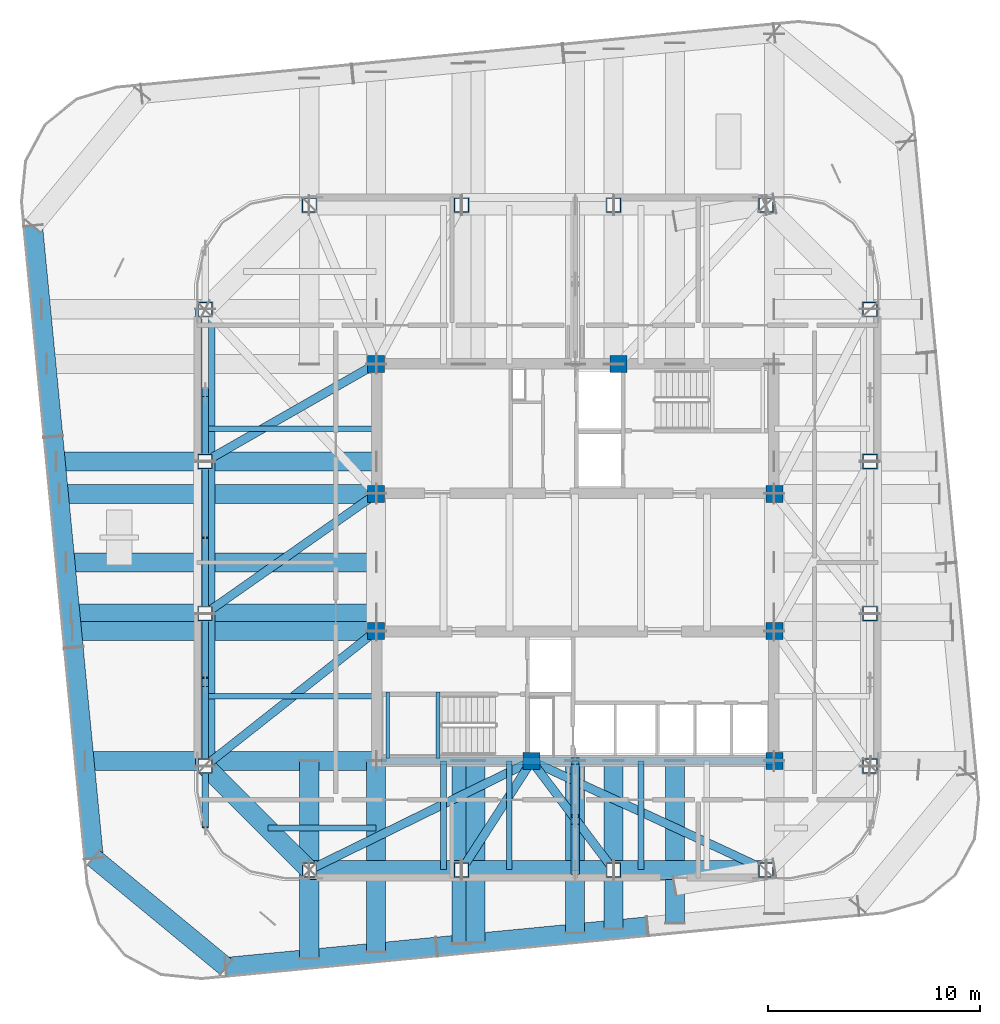
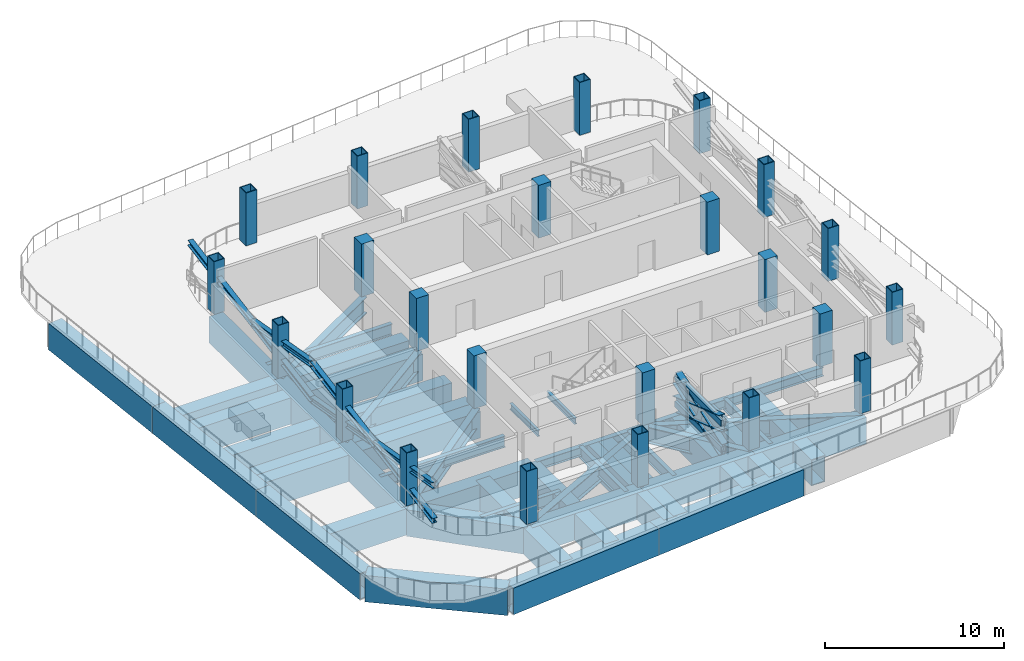
# One storey, part 1 of 12: 42 beams, 24 columns, 10 members.
"""IFC4 building model written with IfcOpenShell, lengths in metres."""

from ifc_helpers import new_model, si_unit, direction, frame, origin, origin_2d, place, context, subcontext, project, spatial, rectangle, hollow_rectangle, i_section, extrude, material, material_profile, profile_set, type_object, element, save


model = new_model("IFC4")

# Units and contexts
model_context = context("Model", 3, precision=1e-05, world=origin(), true_north=direction((0.0, 1.0)))
body_context = subcontext(model_context, "Body", "Model", "MODEL_VIEW")
ifc_project = project(units=[si_unit("LENGTHUNIT", "METRE"), si_unit("AREAUNIT", "SQUARE_METRE"), si_unit("VOLUMEUNIT", "CUBIC_METRE"), si_unit("PLANEANGLEUNIT", "RADIAN"), si_unit("MASSUNIT", "GRAM", prefix="KILO")], contexts=[model_context])

# Site, building, storey
site_placement = place(None, origin())
site = spatial("IfcSite", under=ifc_project, at=site_placement, CompositionType="ELEMENT")
building_placement = place(site_placement, origin())
building = spatial("IfcBuilding", under=site, at=building_placement, Name="Qhalaya Broadcast Tower", CompositionType="ELEMENT")
storey_placement = place(building_placement, frame((0.0, 0.0, 187.949951171875)))
storey = spatial("IfcBuildingStorey", under=building, at=storey_placement, Name="L55", CompositionType="ELEMENT", Elevation=187.949951171875)

# Columns
ifc_material_1 = material(Name="Concrete C50/60", Category="concrete")
ifc_material_profile_1 = material_profile(ifc_material_1, rectangle(XDim=0.800048828125, YDim=0.800048828125, at=origin_2d()), Name="RC-COL 800x800")
ifc_profile_set_1 = profile_set([ifc_material_profile_1], Name="Concrete C50/60")
column_type_1 = type_object("IfcColumnType", Name="RC Upper Column C10", PredefinedType="COLUMN", material=ifc_profile_set_1)
for number, where, z_axis, x_axis, name in (
    (1, (-9.375, 9.949951171875, 0.0), (0.0, 0.0, 1.0), (1.0, 0.0, 0.0), "L55 Column COL-CC1"),
    (2, (2.050048828125, 9.949951171875, 0.0), (0.0, 0.0, 1.0), (1.0, 0.0, 0.0), "L55 Column COL-CC2"),
    (3, (-9.375, 3.824951171875, 0.0), (0.0, 0.0, 1.0), (1.0, 0.0, 0.0), "L55 Column COL-CC3"),
    (4, (9.375, 3.824951171875, 0.0), (0.0, 0.0, 1.0), (1.0, 0.0, 0.0), "L55 Column COL-CC4"),
    (5, (-9.375, -2.625, 0.0), (0.0, 0.0, 1.0), (1.0, 0.0, 0.0), "L55 Column COL-CC5"),
    (6, (9.375, -2.625, 0.0), (0.0, 0.0, 1.0), (1.0, 0.0, 0.0), "L55 Column COL-CC6"),
    (7, (-2.050048828125, -8.75, 0.0), (0.0, 0.0, 1.0), (1.0, 0.0, 0.0), "L55 Column COL-CC7"),
    (8, (9.375, -8.75, 0.0), (0.0, 0.0, 1.0), (1.0, 0.0, 0.0), "L55 Column COL-CC8"),
):
    element("IfcColumn", number, at=place(storey_placement, frame(where, z_axis=z_axis, x_axis=x_axis)), inside=storey, type_object=column_type_1, Name=name, PredefinedType="COLUMN", context=body_context, shape_type="SweptSolid", body=[
        extrude(rectangle(XDim=0.800048828125, YDim=0.800048828125, at=origin_2d()), origin(), (0.0, 0.0, 1.0), 3.60009765625),
    ])
ifc_material_2 = material(Name="Structural Steel ASTM A572 Grade 50", Category="steel")
ifc_material_profile_2 = material_profile(ifc_material_2, hollow_rectangle(XDim=0.699951171875, YDim=0.699951171875, WallThickness=0.044921875, at=origin_2d()), Name="BOX 700x700x45")
ifc_profile_set_2 = profile_set([ifc_material_profile_2], Name="Structural Steel ASTM A572 Grade 50")
column_type_2 = type_object("IfcColumnType", Name="Steel Box Column C04", PredefinedType="COLUMN", material=ifc_profile_set_2)
for number, where, z_axis, x_axis, name in (
    (9, (-12.52001953125, -13.8798828125, 0.0), (0.0, 0.0, 1.0), (1.0, 0.0, 0.0), "L55 Column COL-NK01"),
    (10, (-5.353271484375, -13.8798828125, 0.0), (0.0, 0.0, 1.0), (1.0, 0.0, 0.0), "L55 Column COL-NK02"),
    (11, (1.813232421875, -13.8798828125, 0.0), (0.0, 0.0, 1.0), (1.0, 0.0, 0.0), "L55 Column COL-NK03"),
    (12, (8.97998046875, -13.8798828125, 0.0), (0.0, 0.0, 1.0), (1.0, 0.0, 0.0), "L55 Column COL-NK04"),
    (13, (13.8798828125, -8.97998046875, 0.0), (0.0, 0.0, 1.0), (0.0, 1.0, 0.0), "L55 Column COL-NK05"),
    (14, (13.8798828125, -1.813232421875, 0.0), (0.0, 0.0, 1.0), (0.0, 1.0, 0.0), "L55 Column COL-NK06"),
    (15, (13.8798828125, 5.353271484375, 0.0), (0.0, 0.0, 1.0), (0.0, 1.0, 0.0), "L55 Column COL-NK07"),
    (16, (13.8798828125, 12.52001953125, 0.0), (0.0, 0.0, 1.0), (0.0, 1.0, 0.0), "L55 Column COL-NK08"),
    (17, (8.97998046875, 17.419921875, 0.0), (0.0, 0.0, 1.0), (1.0, 0.0, 0.0), "L55 Column COL-NK09"),
    (18, (1.813232421875, 17.419921875, 0.0), (0.0, 0.0, 1.0), (1.0, 0.0, 0.0), "L55 Column COL-NK10"),
    (19, (-5.353271484375, 17.419921875, 0.0), (0.0, 0.0, 1.0), (1.0, 0.0, 0.0), "L55 Column COL-NK11"),
    (20, (-12.52001953125, 17.419921875, 0.0), (0.0, 0.0, 1.0), (1.0, 0.0, 0.0), "L55 Column COL-NK12"),
    (21, (-17.419921875, 12.52001953125, 0.0), (0.0, 0.0, 1.0), (0.0, 1.0, 0.0), "L55 Column COL-NK13"),
    (22, (-17.419921875, 5.353271484375, 0.0), (0.0, 0.0, 1.0), (0.0, 1.0, 0.0), "L55 Column COL-NK14"),
    (23, (-17.419921875, -1.813232421875, 0.0), (0.0, 0.0, 1.0), (0.0, 1.0, 0.0), "L55 Column COL-NK15"),
    (24, (-17.419921875, -8.97998046875, 0.0), (0.0, 0.0, 1.0), (0.0, 1.0, 0.0), "L55 Column COL-NK16"),
):
    element("IfcColumn", number, at=place(storey_placement, frame(where, z_axis=z_axis, x_axis=x_axis)), inside=storey, type_object=column_type_2, Name=name, PredefinedType="COLUMN", context=body_context, shape_type="SweptSolid", body=[
        extrude(hollow_rectangle(XDim=0.699951171875, YDim=0.699951171875, WallThickness=0.044921875, at=origin_2d()), origin(), (0.0, 0.0, 1.0), 3.60009765625),
    ])

# Members
ifc_material_profile_3 = material_profile(ifc_material_2, i_section(OverallWidth=0.31298828125, OverallDepth=0.3798828125, WebThickness=0.01806640625, FlangeThickness=0.028076171875, at=origin_2d()), Name="W12X120")
ifc_profile_set_3 = profile_set([ifc_material_profile_3], Name="Structural Steel ASTM A572 Grade 50")
member_type_1 = type_object("IfcMemberType", Name="Belt-Truss Diagonal Brace OB2", PredefinedType="BRACE", material=ifc_profile_set_3)
member_1_placement = place(storey_placement, frame((-17.419921875, -11.8798828125, 0.449951171875), z_axis=(0.0, 0.984642998535, 0.174579968601), x_axis=(-1.0, 0.0, 0.0)))
element("IfcMember", 25, at=member_1_placement, inside=storey, type_object=member_type_1, Name="L55 Belt Truss Continuous Brace W1A", PredefinedType="BRACE", context=body_context, shape_type="SweptSolid", body=[
    extrude(i_section(OverallWidth=0.31298828125, OverallDepth=0.3798828125, WebThickness=0.01806640625, FlangeThickness=0.028076171875, at=origin_2d()), origin(), (0.0, 0.0, 1.0), 13.86279296875),
])
for number, where, z_axis, x_axis, name in (
    (26, (-17.419921875, -11.8798828125, 2.8701171875), (0.0, 0.984644451782, -0.174571771986), (-1.0, 0.0, 0.0), "L55 Belt Truss Split Brace W1B1"),
    (27, (-17.419921875, -4.83837890625, 1.62158203125), (0.0, 0.984644451782, -0.174571771986), (-1.0, 0.0, 0.0), "L55 Belt Truss Split Brace W1B2"),
):
    element("IfcMember", number, at=place(storey_placement, frame(where, z_axis=z_axis, x_axis=x_axis)), inside=storey, type_object=member_type_1, Name=name, PredefinedType="BRACE", context=body_context, shape_type="SweptSolid", body=[
        extrude(i_section(OverallWidth=0.31298828125, OverallDepth=0.3798828125, WebThickness=0.01806640625, FlangeThickness=0.028076171875, at=origin_2d()), origin(), (0.0, 0.0, 1.0), 6.71142578125),
    ])
member_2_placement = place(storey_placement, frame((-17.419921875, 1.77001953125, 0.449951171875), z_axis=(0.0, 0.984642998535, 0.174579968601), x_axis=(-1.0, 0.0, 0.0)))
element("IfcMember", 28, at=member_2_placement, inside=storey, type_object=member_type_1, Name="L55 Belt Truss Continuous Brace W2A", PredefinedType="BRACE", context=body_context, shape_type="SweptSolid", body=[
    extrude(i_section(OverallWidth=0.31298828125, OverallDepth=0.3798828125, WebThickness=0.01806640625, FlangeThickness=0.028076171875, at=origin_2d()), origin(), (0.0, 0.0, 1.0), 13.86279296875),
])
member_3_placement = place(storey_placement, frame((-17.419921875, 1.77001953125, 2.8701171875), z_axis=(0.0, 0.984644451782, -0.174571771986), x_axis=(-1.0, 0.0, 0.0)))
element("IfcMember", 29, at=member_3_placement, inside=storey, type_object=member_type_1, Name="L55 Belt Truss Split Brace W2B1", PredefinedType="BRACE", context=body_context, shape_type="SweptSolid", body=[
    extrude(i_section(OverallWidth=0.31298828125, OverallDepth=0.3798828125, WebThickness=0.01806640625, FlangeThickness=0.028076171875, at=origin_2d()), origin(), (0.0, 0.0, 1.0), 6.71142578125),
])

# Beams
ifc_material_profile_4 = material_profile(ifc_material_2, hollow_rectangle(XDim=0.89990234375, YDim=1.800048828125, WallThickness=0.06005859375, at=origin_2d()), Name="BOX 900x1800x60")
ifc_profile_set_4 = profile_set([ifc_material_profile_4], Name="Structural Steel ASTM A572 Grade 50")
beam_type_1 = type_object("IfcBeamType", Name="Block Cantilever Transfer Box Girder TG1", PredefinedType="USERDEFINED", material=ifc_profile_set_4)
beam_1_placement = place(storey_placement, frame((-12.52001953125, -13.8798828125, -1.179931640625), z_axis=(1.0, 0.0, 0.0), x_axis=(0.0, 1.0, 0.0)))
element("IfcBeam", 30, at=beam_1_placement, inside=storey, type_object=beam_type_1, Name="L55 TG1 L55-SPR-01", ObjectType="GIRDER", PredefinedType="USERDEFINED", context=body_context, shape_type="SweptSolid", body=[
    extrude(hollow_rectangle(XDim=0.89990234375, YDim=1.800048828125, WallThickness=0.06005859375, at=origin_2d()), origin(), (0.0, 0.0, 1.0), 7.166748046875),
])
beam_2_placement = place(storey_placement, frame((-5.353271484375, -13.8798828125, -1.179931640625), z_axis=(1.0, 0.0, 0.0), x_axis=(0.0, 1.0, 0.0)))
element("IfcBeam", 31, at=beam_2_placement, inside=storey, type_object=beam_type_1, Name="L55 TG1 L55-SPR-02", ObjectType="GIRDER", PredefinedType="USERDEFINED", context=body_context, shape_type="SweptSolid", body=[
    extrude(hollow_rectangle(XDim=0.89990234375, YDim=1.800048828125, WallThickness=0.06005859375, at=origin_2d()), origin(), (0.0, 0.0, 1.0), 7.16650390625),
])
for number, where, z_axis, x_axis, name in (
    (32, (1.813232421875, -13.8798828125, -1.179931640625), (1.0, 0.0, 0.0), (0.0, 1.0, 0.0), "L55 TG1 L55-SPR-03"),
    (33, (-17.419921875, 12.52001953125, -1.179931640625), (0.0, -1.0, 0.0), (1.0, 0.0, 0.0), "L55 TG1 L55-SPR-13"),
):
    element("IfcBeam", number, at=place(storey_placement, frame(where, z_axis=z_axis, x_axis=x_axis)), inside=storey, type_object=beam_type_1, Name=name, ObjectType="GIRDER", PredefinedType="USERDEFINED", context=body_context, shape_type="SweptSolid", body=[
        extrude(hollow_rectangle(XDim=0.89990234375, YDim=1.800048828125, WallThickness=0.06005859375, at=origin_2d()), origin(), (0.0, 0.0, 1.0), 7.166748046875),
    ])
beam_3_placement = place(storey_placement, frame((-17.419921875, 5.353271484375, -1.179931640625), z_axis=(0.0, -1.0, 0.0), x_axis=(1.0, 0.0, 0.0)))
element("IfcBeam", 34, at=beam_3_placement, inside=storey, type_object=beam_type_1, Name="L55 TG1 L55-SPR-14", ObjectType="GIRDER", PredefinedType="USERDEFINED", context=body_context, shape_type="SweptSolid", body=[
    extrude(hollow_rectangle(XDim=0.89990234375, YDim=1.800048828125, WallThickness=0.06005859375, at=origin_2d()), origin(), (0.0, 0.0, 1.0), 7.16650390625),
])
beam_4_placement = place(storey_placement, frame((-17.419921875, -1.813232421875, -1.179931640625), z_axis=(0.0, -1.0, 0.0), x_axis=(1.0, 0.0, 0.0)))
element("IfcBeam", 35, at=beam_4_placement, inside=storey, type_object=beam_type_1, Name="L55 TG1 L55-SPR-15", ObjectType="GIRDER", PredefinedType="USERDEFINED", context=body_context, shape_type="SweptSolid", body=[
    extrude(hollow_rectangle(XDim=0.89990234375, YDim=1.800048828125, WallThickness=0.06005859375, at=origin_2d()), origin(), (0.0, 0.0, 1.0), 7.166748046875),
])
beam_5_placement = place(storey_placement, frame((-17.419921875, -8.97998046875, -1.179931640625), z_axis=(0.707106781187, -0.707106781187, 0.0), x_axis=(0.707106781187, 0.707106781187, 0.0)))
element("IfcBeam", 36, at=beam_5_placement, inside=storey, type_object=beam_type_1, Name="L55 TG1 L55-SPR-16", ObjectType="GIRDER", PredefinedType="USERDEFINED", context=body_context, shape_type="SweptSolid", body=[
    extrude(hollow_rectangle(XDim=0.89990234375, YDim=1.800048828125, WallThickness=0.06005859375, at=origin_2d()), origin(), (0.0, 0.0, 1.0), 6.929443359375),
])
beam_6_placement = place(storey_placement, frame((-16.44189453125, -18.44775390625, -1.179931640625), z_axis=(0.995397846936, 0.09582862993, 0.0), x_axis=(-0.09582862993, 0.995397846936, 0.0)))
element("IfcBeam", 37, at=beam_6_placement, inside=storey, type_object=beam_type_1, Name="L55 TG1 L55-TGL-01", ObjectType="GIRDER", PredefinedType="USERDEFINED", context=body_context, shape_type="SweptSolid", body=[
    extrude(hollow_rectangle(XDim=0.89990234375, YDim=1.800048828125, WallThickness=0.06005859375, at=origin_2d()), origin(), (0.0, 0.0, 1.0), 9.966552734375),
])
beam_7_placement = place(storey_placement, frame((-6.521240234375, -17.49267578125, -1.179931640625), z_axis=(0.99539573508, 0.095850563819, 0.0), x_axis=(-0.095850563819, 0.99539573508, 0.0)))
element("IfcBeam", 38, at=beam_7_placement, inside=storey, type_object=beam_type_1, Name="L55 TG1 L55-TGL-02", ObjectType="GIRDER", PredefinedType="USERDEFINED", context=body_context, shape_type="SweptSolid", body=[
    extrude(hollow_rectangle(XDim=0.89990234375, YDim=1.800048828125, WallThickness=0.06005859375, at=origin_2d()), origin(), (0.0, 0.0, 1.0), 9.966796875),
])
beam_8_placement = place(storey_placement, frame((-25.52783203125, 16.44189453125, -1.179931640625), z_axis=(0.095852900965, -0.995395510024, 0.0), x_axis=(0.995395510024, 0.095852900965, 0.0)))
element("IfcBeam", 39, at=beam_8_placement, inside=storey, type_object=beam_type_1, Name="L55 TG1 L55-TGL-13", ObjectType="GIRDER", PredefinedType="USERDEFINED", context=body_context, shape_type="SweptSolid", body=[
    extrude(hollow_rectangle(XDim=0.89990234375, YDim=1.800048828125, WallThickness=0.06005859375, at=origin_2d()), origin(), (0.0, 0.0, 1.0), 9.966552734375),
])
beam_9_placement = place(storey_placement, frame((-24.572509765625, 6.521240234375, -1.179931640625), z_axis=(0.095850563819, -0.99539573508, 0.0), x_axis=(0.99539573508, 0.095850563819, 0.0)))
element("IfcBeam", 40, at=beam_9_placement, inside=storey, type_object=beam_type_1, Name="L55 TG1 L55-TGL-14", ObjectType="GIRDER", PredefinedType="USERDEFINED", context=body_context, shape_type="SweptSolid", body=[
    extrude(hollow_rectangle(XDim=0.89990234375, YDim=1.800048828125, WallThickness=0.06005859375, at=origin_2d()), origin(), (0.0, 0.0, 1.0), 9.966796875),
])
beam_10_placement = place(storey_placement, frame((-23.6171875, -3.399658203125, -1.179931640625), z_axis=(0.09582862993, -0.995397846936, 0.0), x_axis=(0.995397846936, 0.09582862993, 0.0)))
element("IfcBeam", 41, at=beam_10_placement, inside=storey, type_object=beam_type_1, Name="L55 TG1 L55-TGL-15", ObjectType="GIRDER", PredefinedType="USERDEFINED", context=body_context, shape_type="SweptSolid", body=[
    extrude(hollow_rectangle(XDim=0.89990234375, YDim=1.800048828125, WallThickness=0.06005859375, at=origin_2d()), origin(), (0.0, 0.0, 1.0), 9.966552734375),
])
beam_11_placement = place(storey_placement, frame((-22.662109375, -13.3203125, -1.179931640625), z_axis=(0.771631160126, -0.636070241972, 0.0), x_axis=(0.636070241972, 0.771631160126, 0.0)))
element("IfcBeam", 42, at=beam_11_placement, inside=storey, type_object=beam_type_1, Name="L55 TG1 L55-TGL-16", ObjectType="GIRDER", PredefinedType="USERDEFINED", context=body_context, shape_type="SweptSolid", body=[
    extrude(hollow_rectangle(XDim=0.89990234375, YDim=1.800048828125, WallThickness=0.06005859375, at=origin_2d()), origin(), (0.0, 0.0, 1.0), 8.06103515625),
])
beam_12_placement = place(storey_placement, frame((0.0, -16.824462890625, -1.179931640625), z_axis=(0.0, 1.0, 0.0), x_axis=(-1.0, 0.0, 0.0)))
element("IfcBeam", 43, at=beam_12_placement, inside=storey, type_object=beam_type_1, Name="L55 TG1 L55-TGIMS-1", ObjectType="GIRDER", PredefinedType="USERDEFINED", context=body_context, shape_type="SweptSolid", body=[
    extrude(hollow_rectangle(XDim=0.89990234375, YDim=1.800048828125, WallThickness=0.06005859375, at=origin_2d()), origin(), (0.0, 0.0, 1.0), 8.074462890625),
])
beam_13_placement = place(storey_placement, frame((-4.699951171875, -17.277099609375, -1.179931640625), z_axis=(0.0, 1.0, 0.0), x_axis=(-1.0, 0.0, 0.0)))
element("IfcBeam", 44, at=beam_13_placement, inside=storey, type_object=beam_type_1, Name="L55 TG1 L55-TGIMSW-1", ObjectType="GIRDER", PredefinedType="USERDEFINED", context=body_context, shape_type="SweptSolid", body=[
    extrude(hollow_rectangle(XDim=0.89990234375, YDim=1.800048828125, WallThickness=0.06005859375, at=origin_2d()), origin(), (0.0, 0.0, 1.0), 8.527099609375),
])
beam_14_placement = place(storey_placement, frame((4.699951171875, -16.371826171875, -1.179931640625), z_axis=(0.0, 1.0, 0.0), x_axis=(-1.0, 0.0, 0.0)))
element("IfcBeam", 45, at=beam_14_placement, inside=storey, type_object=beam_type_1, Name="L55 TG1 L55-TGIMSE-1", ObjectType="GIRDER", PredefinedType="USERDEFINED", context=body_context, shape_type="SweptSolid", body=[
    extrude(hollow_rectangle(XDim=0.89990234375, YDim=1.800048828125, WallThickness=0.06005859375, at=origin_2d()), origin(), (0.0, 0.0, 1.0), 7.621826171875),
])
beam_15_placement = place(storey_placement, frame((-23.962158203125, 0.60009765625, -1.179931640625), z_axis=(1.0, 0.0, 0.0), x_axis=(0.0, 1.0, 0.0)))
element("IfcBeam", 46, at=beam_15_placement, inside=storey, type_object=beam_type_1, Name="L55 TG1 L55-TGIYW-1", ObjectType="GIRDER", PredefinedType="USERDEFINED", context=body_context, shape_type="SweptSolid", body=[
    extrude(hollow_rectangle(XDim=0.89990234375, YDim=1.800048828125, WallThickness=0.06005859375, at=origin_2d()), origin(), (0.0, 0.0, 1.0), 14.587158203125),
])
beam_16_placement = place(storey_placement, frame((-9.375, -17.727294921875, -1.179931640625), z_axis=(0.0, 1.0, 0.0), x_axis=(-1.0, 0.0, 0.0)))
element("IfcBeam", 47, at=beam_16_placement, inside=storey, type_object=beam_type_1, Name="L55 TG1 L55-TGISW-1", ObjectType="GIRDER", PredefinedType="USERDEFINED", context=body_context, shape_type="SweptSolid", body=[
    extrude(hollow_rectangle(XDim=0.89990234375, YDim=1.800048828125, WallThickness=0.06005859375, at=origin_2d()), origin(), (0.0, 0.0, 1.0), 8.977294921875),
])
beam_17_placement = place(storey_placement, frame((-23.06201171875, -8.75, -1.179931640625), z_axis=(1.0, 0.0, 0.0), x_axis=(0.0, 1.0, 0.0)))
element("IfcBeam", 48, at=beam_17_placement, inside=storey, type_object=beam_type_1, Name="L55 TG1 L55-TGIY1W-1", ObjectType="GIRDER", PredefinedType="USERDEFINED", context=body_context, shape_type="SweptSolid", body=[
    extrude(hollow_rectangle(XDim=0.89990234375, YDim=1.800048828125, WallThickness=0.06005859375, at=origin_2d()), origin(), (0.0, 0.0, 1.0), 13.68701171875),
])
beam_18_placement = place(storey_placement, frame((-23.651611328125, -2.625, -1.179931640625), z_axis=(1.0, 0.0, 0.0), x_axis=(0.0, 1.0, 0.0)))
element("IfcBeam", 49, at=beam_18_placement, inside=storey, type_object=beam_type_1, Name="L55 TG1 L55-TGIY2W-1", ObjectType="GIRDER", PredefinedType="USERDEFINED", context=body_context, shape_type="SweptSolid", body=[
    extrude(hollow_rectangle(XDim=0.89990234375, YDim=1.800048828125, WallThickness=0.06005859375, at=origin_2d()), origin(), (0.0, 0.0, 1.0), 14.276611328125),
])
beam_19_placement = place(storey_placement, frame((-24.272705078125, 3.824951171875, -1.179931640625), z_axis=(1.0, 0.0, 0.0), x_axis=(0.0, 1.0, 0.0)))
element("IfcBeam", 50, at=beam_19_placement, inside=storey, type_object=beam_type_1, Name="L55 TG1 L55-TGIY3W-1", ObjectType="GIRDER", PredefinedType="USERDEFINED", context=body_context, shape_type="SweptSolid", body=[
    extrude(hollow_rectangle(XDim=0.89990234375, YDim=1.800048828125, WallThickness=0.06005859375, at=origin_2d()), origin(), (0.0, 0.0, 1.0), 14.897705078125),
])
beam_20_placement = place(storey_placement, frame((-12.52001953125, -18.030029296875, -1.179931640625), z_axis=(0.0, 1.0, 0.0), x_axis=(-1.0, 0.0, 0.0)))
element("IfcBeam", 51, at=beam_20_placement, inside=storey, type_object=beam_type_1, Name="L55 Spanning Transfer Box Girder 01", ObjectType="GIRDER", PredefinedType="USERDEFINED", context=body_context, shape_type="SweptSolid", body=[
    extrude(hollow_rectangle(XDim=0.89990234375, YDim=1.800048828125, WallThickness=0.06005859375, at=origin_2d()), origin(), (0.0, 0.0, 1.0), 9.280029296875),
])
beam_21_placement = place(storey_placement, frame((-5.353271484375, -17.340087890625, -1.179931640625), z_axis=(0.0, 1.0, 0.0), x_axis=(-1.0, 0.0, 0.0)))
element("IfcBeam", 52, at=beam_21_placement, inside=storey, type_object=beam_type_1, Name="L55 Spanning Transfer Box Girder 02", ObjectType="GIRDER", PredefinedType="USERDEFINED", context=body_context, shape_type="SweptSolid", body=[
    extrude(hollow_rectangle(XDim=0.89990234375, YDim=1.800048828125, WallThickness=0.06005859375, at=origin_2d()), origin(), (0.0, 0.0, 1.0), 8.590087890625),
])
beam_22_placement = place(storey_placement, frame((1.813232421875, -16.64990234375, -1.179931640625), z_axis=(0.0, 1.0, 0.0), x_axis=(-1.0, 0.0, 0.0)))
element("IfcBeam", 53, at=beam_22_placement, inside=storey, type_object=beam_type_1, Name="L55 Spanning Transfer Box Girder 03", ObjectType="GIRDER", PredefinedType="USERDEFINED", context=body_context, shape_type="SweptSolid", body=[
    extrude(hollow_rectangle(XDim=0.89990234375, YDim=1.800048828125, WallThickness=0.06005859375, at=origin_2d()), origin(), (0.0, 0.0, 1.0), 7.89990234375),
])
beam_23_placement = place(storey_placement, frame((-24.419921875, 5.353271484375, -1.179931640625), z_axis=(1.0, 0.0, 0.0), x_axis=(0.0, 1.0, 0.0)))
element("IfcBeam", 54, at=beam_23_placement, inside=storey, type_object=beam_type_1, Name="L55 Spanning Transfer Box Girder 14", ObjectType="GIRDER", PredefinedType="USERDEFINED", context=body_context, shape_type="SweptSolid", body=[
    extrude(hollow_rectangle(XDim=0.89990234375, YDim=1.800048828125, WallThickness=0.06005859375, at=origin_2d()), origin(), (0.0, 0.0, 1.0), 15.044921875),
])
beam_24_placement = place(storey_placement, frame((-23.72998046875, -1.813232421875, -1.179931640625), z_axis=(1.0, 0.0, 0.0), x_axis=(0.0, 1.0, 0.0)))
element("IfcBeam", 55, at=beam_24_placement, inside=storey, type_object=beam_type_1, Name="L55 Spanning Transfer Box Girder 15", ObjectType="GIRDER", PredefinedType="USERDEFINED", context=body_context, shape_type="SweptSolid", body=[
    extrude(hollow_rectangle(XDim=0.89990234375, YDim=1.800048828125, WallThickness=0.06005859375, at=origin_2d()), origin(), (0.0, 0.0, 1.0), 14.35498046875),
])
ifc_material_3 = material(Name="Structural Steel ASTM A992 Grade 50", Category="steel")
ifc_material_profile_5 = material_profile(ifc_material_3, i_section(OverallWidth=0.323974609375, OverallDepth=0.612060546875, WebThickness=0.0126953125, FlangeThickness=0.01904296875, at=origin_2d()), Name="W24X104")
ifc_profile_set_5 = profile_set([ifc_material_profile_5], Name="Structural Steel ASTM A992 Grade 50")
beam_type_2 = type_object("IfcBeamType", Name="Core Frame Tie Beam B04", PredefinedType="BEAM", material=ifc_profile_set_5)
beam_25_placement = place(storey_placement, frame((-9.1201171875, -8.75, -0.5859375), z_axis=(1.0, 0.0, 0.0), x_axis=(0.0, 1.0, 0.0)))
element("IfcBeam", 56, at=beam_25_placement, inside=storey, type_object=beam_type_2, Name="L55 B04 L55-CCS3", PredefinedType="BEAM", context=body_context, shape_type="SweptSolid", body=[
    extrude(i_section(OverallWidth=0.323974609375, OverallDepth=0.612060546875, WebThickness=0.0126953125, FlangeThickness=0.01904296875, at=origin_2d()), origin(), (0.0, 0.0, 1.0), 18.4951171875),
])

# Members
ifc_material_profile_6 = material_profile(ifc_material_2, i_section(OverallWidth=0.40087890625, OverallDepth=1.0009765625, WebThickness=0.01904296875, FlangeThickness=0.0361328125, at=origin_2d()), Name="W40X249")
ifc_profile_set_6 = profile_set([ifc_material_profile_6], Name="Structural Steel ASTM A572 Grade 50")
member_type_2 = type_object("IfcMemberType", Name="Core-to-Perimeter Outrigger Brace OB1", PredefinedType="BRACE", material=ifc_profile_set_6)
member_4_placement = place(storey_placement, frame((0.0, -8.75, 0.449951171875), z_axis=(0.0, -0.945155954517, 0.326619383443), x_axis=(1.0, 0.0, 0.0)))
element("IfcMember", 57, at=member_4_placement, inside=storey, type_object=member_type_2, Name="L55 Outrigger Continuous Diagonal SCA", PredefinedType="BRACE", context=body_context, shape_type="SweptSolid", body=[
    extrude(i_section(OverallWidth=0.40087890625, OverallDepth=1.0009765625, WebThickness=0.01904296875, FlangeThickness=0.0361328125, at=origin_2d()), origin(), (0.0, 0.0, 1.0), 5.48046875),
])
member_5_placement = place(storey_placement, frame((0.0, -8.75, 2.239990234375), z_axis=(0.0, -0.945160067265, -0.326607481922), x_axis=(1.0, 0.0, 0.0)))
element("IfcMember", 58, at=member_5_placement, inside=storey, type_object=member_type_2, Name="L55 Outrigger Split Diagonal SCB1", PredefinedType="BRACE", context=body_context, shape_type="SweptSolid", body=[
    extrude(i_section(OverallWidth=0.40087890625, OverallDepth=1.0009765625, WebThickness=0.01904296875, FlangeThickness=0.0361328125, at=origin_2d()), origin(), (0.0, 0.0, 1.0), 2.50048828125),
])
member_6_placement = place(storey_placement, frame((0.0, -11.56689453125, 1.2666015625), z_axis=(0.0, -0.945149650272, -0.326637625804), x_axis=(1.0, 0.0, 0.0)))
element("IfcMember", 59, at=member_6_placement, inside=storey, type_object=member_type_2, Name="L55 Outrigger Split Diagonal SCB2", PredefinedType="BRACE", context=body_context, shape_type="SweptSolid", body=[
    extrude(i_section(OverallWidth=0.40087890625, OverallDepth=1.0009765625, WebThickness=0.01904296875, FlangeThickness=0.0361328125, at=origin_2d()), origin(), (0.0, 0.0, 1.0), 2.500244140625),
])
ifc_material_profile_7 = material_profile(ifc_material_2, hollow_rectangle(XDim=0.300048828125, YDim=0.39990234375, WallThickness=0.02001953125, at=origin_2d()), Name="HSS 300x400x20")
ifc_profile_set_7 = profile_set([ifc_material_profile_7], Name="Structural Steel ASTM A572 Grade 50")
member_type_3 = type_object("IfcMemberType", Name="Outrigger & Belt-Truss Chord CH1", PredefinedType="CHORD", material=ifc_profile_set_7)
for number, where, z_axis, x_axis, name in (
    (60, (0.0, -8.75, 0.449951171875), (0.0, -1.0, 0.0), (1.0, 0.0, 0.0), "L55 Outrigger Bottom Chord SC"),
    (61, (0.0, -8.75, 2.239990234375), (0.0, -1.0, 0.0), (1.0, 0.0, 0.0), "L55 Outrigger Top Chord SC"),
):
    element("IfcMember", number, at=place(storey_placement, frame(where, z_axis=z_axis, x_axis=x_axis)), inside=storey, type_object=member_type_3, Name=name, PredefinedType="CHORD", context=body_context, shape_type="SweptSolid", body=[
        extrude(hollow_rectangle(XDim=0.300048828125, YDim=0.39990234375, WallThickness=0.02001953125, at=origin_2d()), origin(), (0.0, 0.0, 1.0), 5.179931640625),
    ])

# Beams
ifc_material_profile_8 = material_profile(ifc_material_3, i_section(OverallWidth=0.26708984375, OverallDepth=0.761962890625, WebThickness=0.014404296875, FlangeThickness=0.021484375, at=origin_2d()), Name="W30X116")
ifc_profile_set_8 = profile_set([ifc_material_profile_8], Name="Structural Steel ASTM A992 Grade 50")
beam_type_3 = type_object("IfcBeamType", Name="Plant & Server Floor Beam B02", PredefinedType="BEAM", material=ifc_profile_set_8)
for number, where, z_axis, x_axis, name in (
    (62, (-6.199951171875, -13.860107421875, -0.660888671875), (0.0, 1.0, 0.0), (-1.0, 0.0, 0.0), "L55 B02 L55-JNS1-1"),
    (63, (-3.10009765625, -13.860107421875, -0.660888671875), (0.0, 1.0, 0.0), (-1.0, 0.0, 0.0), "L55 B02 L55-JNS2-1"),
    (64, (3.10009765625, -13.860107421875, -0.660888671875), (0.0, 1.0, 0.0), (-1.0, 0.0, 0.0), "L55 B02 L55-JNS4-1"),
):
    element("IfcBeam", number, at=place(storey_placement, frame(where, z_axis=z_axis, x_axis=x_axis)), inside=storey, type_object=beam_type_3, Name=name, PredefinedType="BEAM", context=body_context, shape_type="SweptSolid", body=[
        extrude(i_section(OverallWidth=0.26708984375, OverallDepth=0.761962890625, WebThickness=0.014404296875, FlangeThickness=0.021484375, at=origin_2d()), origin(), (0.0, 0.0, 1.0), 5.110107421875),
    ])
beam_26_placement = place(storey_placement, frame((-14.4716796875, -11.89990234375, -0.660888671875), z_axis=(1.0, 0.0, 0.0), x_axis=(0.0, 1.0, 0.0)))
element("IfcBeam", 65, at=beam_26_placement, inside=storey, type_object=beam_type_3, Name="L55 B02 L55-JWE2W-1", PredefinedType="BEAM", context=body_context, shape_type="SweptSolid", body=[
    extrude(i_section(OverallWidth=0.26708984375, OverallDepth=0.761962890625, WebThickness=0.014404296875, FlangeThickness=0.021484375, at=origin_2d()), origin(), (0.0, 0.0, 1.0), 5.0966796875),
])
for number, where, z_axis, x_axis, name in (
    (66, (-17.39990234375, -5.699951171875, -0.660888671875), (1.0, 0.0, 0.0), (0.0, 1.0, 0.0), "L55 B02 L55-JWE3W-1"),
    (67, (-17.39990234375, 6.89990234375, -0.660888671875), (1.0, 0.0, 0.0), (0.0, 1.0, 0.0), "L55 B02 L55-JWE5W-1"),
):
    element("IfcBeam", number, at=place(storey_placement, frame(where, z_axis=z_axis, x_axis=x_axis)), inside=storey, type_object=beam_type_3, Name=name, PredefinedType="BEAM", context=body_context, shape_type="SweptSolid", body=[
        extrude(i_section(OverallWidth=0.26708984375, OverallDepth=0.761962890625, WebThickness=0.014404296875, FlangeThickness=0.021484375, at=origin_2d()), origin(), (0.0, 0.0, 1.0), 8.02490234375),
    ])
ifc_material_profile_9 = material_profile(ifc_material_3, i_section(OverallWidth=0.404052734375, OverallDepth=1.117919921875, WebThickness=0.026123046875, FlangeThickness=0.044921875, at=origin_2d()), Name="W44X335")
ifc_profile_set_9 = profile_set([ifc_material_profile_9], Name="Structural Steel ASTM A992 Grade 50")
beam_type_4 = type_object("IfcBeamType", Name="Podium Long-Span Primary Girder PG1", PredefinedType="USERDEFINED", material=ifc_profile_set_9)
beam_27_placement = place(storey_placement, frame((-2.050048828125, -8.75, -0.8388671875), z_axis=(-0.898003953141, -0.439987386345, 0.0), x_axis=(0.439987386345, -0.898003953141, 0.0)))
element("IfcBeam", 68, at=beam_27_placement, inside=storey, type_object=beam_type_4, Name="L55 Column-to-Column Moment Tie Girder 01-1", ObjectType="GIRDER", PredefinedType="USERDEFINED", context=body_context, shape_type="SweptSolid", body=[
    extrude(i_section(OverallWidth=0.404052734375, OverallDepth=1.117919921875, WebThickness=0.026123046875, FlangeThickness=0.044921875, at=origin_2d()), origin(), (0.0, 0.0, 1.0), 11.6591796875),
])
beam_28_placement = place(storey_placement, frame((-2.050048828125, -8.75, -0.8388671875), z_axis=(-0.541388416899, -0.840772610191, 0.0), x_axis=(0.840772610191, -0.541388416899, 0.0)))
element("IfcBeam", 69, at=beam_28_placement, inside=storey, type_object=beam_type_4, Name="L55 Column-to-Column Moment Tie Girder 02-1", ObjectType="GIRDER", PredefinedType="USERDEFINED", context=body_context, shape_type="SweptSolid", body=[
    extrude(i_section(OverallWidth=0.404052734375, OverallDepth=1.117919921875, WebThickness=0.026123046875, FlangeThickness=0.044921875, at=origin_2d()), origin(), (0.0, 0.0, 1.0), 6.101318359375),
])
beam_29_placement = place(storey_placement, frame((-2.050048828125, -8.75, -0.8388671875), z_axis=(0.601580333006, -0.798812307705, 0.0), x_axis=(0.798812307705, 0.601580333006, 0.0)))
element("IfcBeam", 70, at=beam_29_placement, inside=storey, type_object=beam_type_4, Name="L55 Column-to-Column Moment Tie Girder 03-1", ObjectType="GIRDER", PredefinedType="USERDEFINED", context=body_context, shape_type="SweptSolid", body=[
    extrude(i_section(OverallWidth=0.404052734375, OverallDepth=1.117919921875, WebThickness=0.026123046875, FlangeThickness=0.044921875, at=origin_2d()), origin(), (0.0, 0.0, 1.0), 6.421875),
])
beam_30_placement = place(storey_placement, frame((-2.050048828125, -8.75, -0.8388671875), z_axis=(0.906732534107, -0.421706191077, 0.0), x_axis=(0.421706191077, 0.906732534107, 0.0)))
element("IfcBeam", 71, at=beam_30_placement, inside=storey, type_object=beam_type_4, Name="L55 Column-to-Column Moment Tie Girder 04-3", ObjectType="GIRDER", PredefinedType="USERDEFINED", context=body_context, shape_type="SweptSolid", body=[
    extrude(i_section(OverallWidth=0.404052734375, OverallDepth=1.117919921875, WebThickness=0.026123046875, FlangeThickness=0.044921875, at=origin_2d()), origin(), (0.0, 0.0, 1.0), 12.16455078125),
])
beam_31_placement = place(storey_placement, frame((-9.375, 9.949951171875, -0.8388671875), z_axis=(-0.868262599412, -0.496104886554, 0.0), x_axis=(0.496104886554, -0.868262599412, 0.0)))
element("IfcBeam", 72, at=beam_31_placement, inside=storey, type_object=beam_type_4, Name="L55 Column-to-Column Moment Tie Girder 14-2", ObjectType="GIRDER", PredefinedType="USERDEFINED", context=body_context, shape_type="SweptSolid", body=[
    extrude(i_section(OverallWidth=0.404052734375, OverallDepth=1.117919921875, WebThickness=0.026123046875, FlangeThickness=0.044921875, at=origin_2d()), origin(), (0.0, 0.0, 1.0), 9.265625),
])
beam_32_placement = place(storey_placement, frame((-9.375, 3.824951171875, -0.8388671875), z_axis=(-0.818909554475, -0.573922591984, 0.0), x_axis=(0.573922591984, -0.818909554475, 0.0)))
element("IfcBeam", 73, at=beam_32_placement, inside=storey, type_object=beam_type_4, Name="L55 Column-to-Column Moment Tie Girder 15-2", ObjectType="GIRDER", PredefinedType="USERDEFINED", context=body_context, shape_type="SweptSolid", body=[
    extrude(i_section(OverallWidth=0.404052734375, OverallDepth=1.117919921875, WebThickness=0.026123046875, FlangeThickness=0.044921875, at=origin_2d()), origin(), (0.0, 0.0, 1.0), 9.823974609375),
])
beam_33_placement = place(storey_placement, frame((-9.375, -2.625, -0.8388671875), z_axis=(-0.784705960236, -0.619868176285, 0.0), x_axis=(0.619868176285, -0.784705960236, 0.0)))
element("IfcBeam", 74, at=beam_33_placement, inside=storey, type_object=beam_type_4, Name="L55 Column-to-Column Moment Tie Girder 16-1", ObjectType="GIRDER", PredefinedType="USERDEFINED", context=body_context, shape_type="SweptSolid", body=[
    extrude(i_section(OverallWidth=0.404052734375, OverallDepth=1.117919921875, WebThickness=0.026123046875, FlangeThickness=0.044921875, at=origin_2d()), origin(), (0.0, 0.0, 1.0), 10.252197265625),
])
ifc_material_profile_10 = material_profile(ifc_material_3, i_section(OverallWidth=0.177978515625, OverallDepth=0.406005859375, WebThickness=0.0078125, FlangeThickness=0.0126953125, at=origin_2d()), Name="W16X40")
ifc_profile_set_10 = profile_set([ifc_material_profile_10], Name="Structural Steel ASTM A992 Grade 50")
beam_type_5 = type_object("IfcBeamType", Name="Upper Perimeter Spandrel Beam SP2", PredefinedType="SPANDREL", material=ifc_profile_set_10)
for number, where, z_axis, x_axis, name in (
    (75, (-8.830078125, -8.6201171875, 1.39697265625), (0.0, 1.0, 0.0), (-1.0, 0.0, 0.0), "L55 ST-2 Half-Landing Bearer Beam 1"),
    (76, (-6.455078125, -8.6201171875, 1.39697265625), (0.0, 1.0, 0.0), (-1.0, 0.0, 0.0), "L55 ST-2 Half-Landing Bearer Beam 2"),
):
    element("IfcBeam", number, at=place(storey_placement, frame(where, z_axis=z_axis, x_axis=x_axis)), inside=storey, type_object=beam_type_5, Name=name, PredefinedType="SPANDREL", context=body_context, shape_type="SweptSolid", body=[
        extrude(i_section(OverallWidth=0.177978515625, OverallDepth=0.406005859375, WebThickness=0.0078125, FlangeThickness=0.0126953125, at=origin_2d()), origin(), (0.0, 0.0, 1.0), 3.1201171875),
    ])

save(model, "model.ifc")
